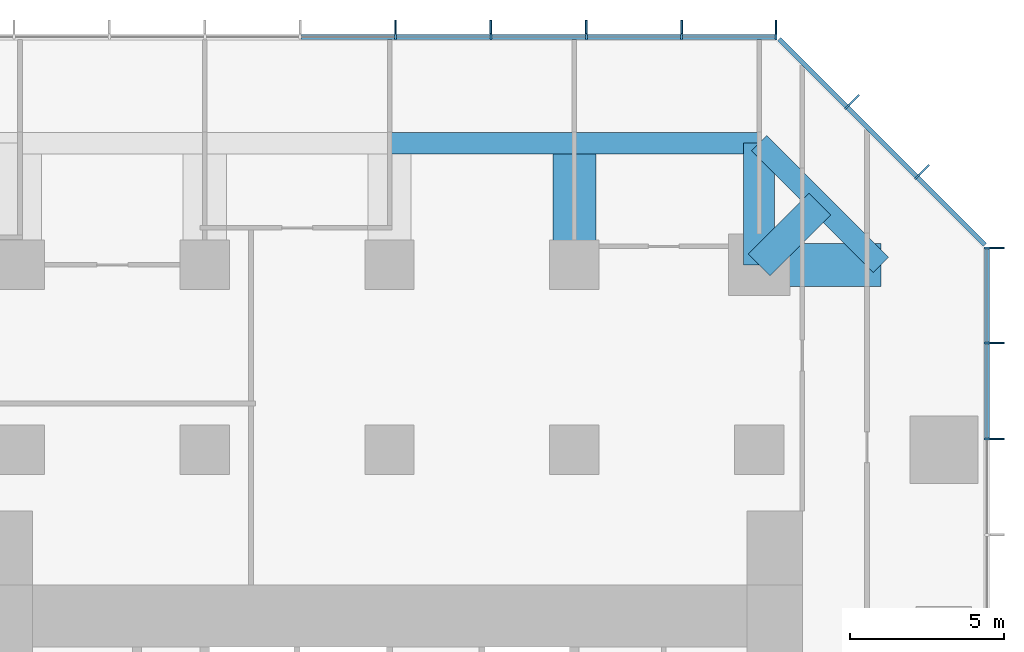
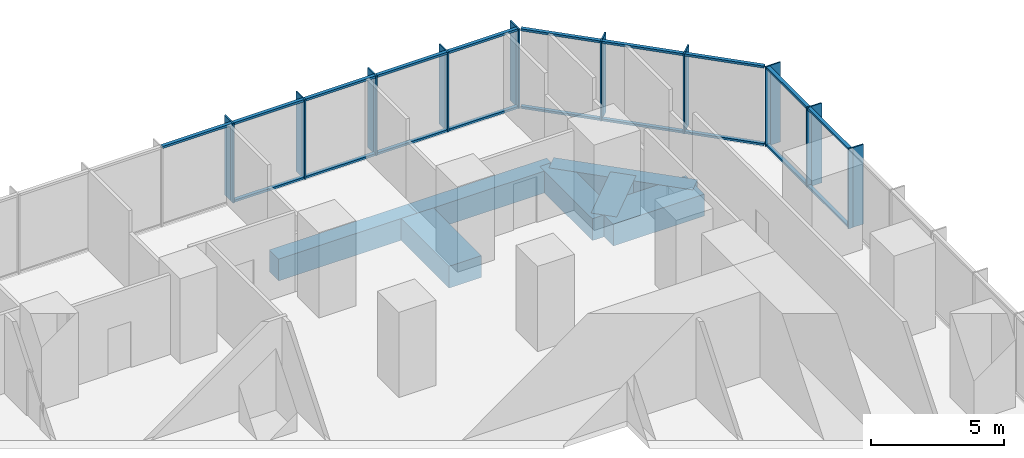
# One storey, part 6 of 11: 39 members, 7 beams, 3 elements without a shape of their own.
"""IFC4 building model written with IfcOpenShell, lengths in metres."""

from ifc_helpers import new_model, si_unit, direction, frame, origin, origin_2d, place, context, subcontext, project, spatial, rectangle, extrude, material, layer, layer_set, material_profile, profile_set, type_object, element, aggregate, save


model = new_model("IFC4")

# Units and contexts
model_context = context("Model", 3, precision=1e-05, world=origin(), true_north=direction((0.0, 1.0)))
body_context = subcontext(model_context, "Body", "Model", "MODEL_VIEW")
ifc_project = project(units=[si_unit("LENGTHUNIT", "METRE"), si_unit("AREAUNIT", "SQUARE_METRE"), si_unit("VOLUMEUNIT", "CUBIC_METRE"), si_unit("PLANEANGLEUNIT", "RADIAN"), si_unit("MASSUNIT", "GRAM", prefix="KILO")], contexts=[model_context])

# Site, building, storey
site_placement = place(None, origin())
site = spatial("IfcSite", under=ifc_project, at=site_placement, CompositionType="ELEMENT")
building_placement = place(site_placement, origin())
building = spatial("IfcBuilding", under=site, at=building_placement, Name="Highveld Stack Headquarters", CompositionType="ELEMENT")
storey_placement = place(building_placement, frame((0.0, 0.0, 113.300048828125)))
storey = spatial("IfcBuildingStorey", under=building, at=storey_placement, Name="L27", CompositionType="ELEMENT", Elevation=113.300048828125)

# Beams
ifc_material_1 = material(Name="Concrete C60/75", Category="concrete")
ifc_material_profile_1 = material_profile(ifc_material_1, rectangle(XDim=1.0, YDim=1.0, at=origin_2d()), Name="RC 1000x1000")
ifc_profile_set_1 = profile_set([ifc_material_profile_1], Name="Concrete C60/75")
beam_type_1 = type_object("IfcBeamType", Name="CANTILEVER RIB RC 1000x1000", PredefinedType="USERDEFINED", material=ifc_profile_set_1)
beam_1_placement = place(storey_placement, frame((18.0, 24.0, -0.75), z_axis=(0.0, 1.0, 0.0), x_axis=(-1.0, 0.0, 0.0)))
element("IfcBeam", 1, at=beam_1_placement, inside=storey, type_object=beam_type_1, Name="Cantilever rib 9/J L27", ObjectType="CANTILEVER RIB", PredefinedType="USERDEFINED", context=body_context, shape_type="SweptSolid", body=[
    extrude(rectangle(XDim=1.0, YDim=1.0, at=origin_2d()), origin(), (0.0, 0.0, 1.0), 3.949951171875),
])
beam_2_placement = place(storey_placement, frame((18.0, 24.0, -0.75), z_axis=(0.707106781187, 0.707106781187, 0.0), x_axis=(-0.707106781187, 0.707106781187, 0.0)))
element("IfcBeam", 2, at=beam_2_placement, inside=storey, type_object=beam_type_1, Name="Cantilever rib 9/J L27", ObjectType="CANTILEVER RIB", PredefinedType="USERDEFINED", context=body_context, shape_type="SweptSolid", body=[
    extrude(rectangle(XDim=1.0, YDim=1.0, at=origin_2d()), origin(), (0.0, 0.0, 1.0), 2.793212890625),
])
ifc_material_2 = material(Name="Concrete C60/75", Category="concrete")
ifc_material_profile_2 = material_profile(ifc_material_2, rectangle(XDim=1.39990234375, YDim=1.0, at=origin_2d()), Name="RC 1400x1000")
ifc_profile_set_2 = profile_set([ifc_material_profile_2], Name="Concrete C60/75")
beam_type_2 = type_object("IfcBeamType", Name="CANTILEVER RIB RC 1400x1000", PredefinedType="USERDEFINED", material=ifc_profile_set_2)
for number, where, z_axis, x_axis, name in (
    (3, (12.0, 24.0, -0.75), (0.0, 1.0, 0.0), (-1.0, 0.0, 0.0), "Cantilever rib 8/J L27"),
    (4, (18.0, 24.0, -0.75), (1.0, 0.0, 0.0), (0.0, 1.0, 0.0), "Cantilever rib 9/J L27"),
):
    element("IfcBeam", number, at=place(storey_placement, frame(where, z_axis=z_axis, x_axis=x_axis)), inside=storey, type_object=beam_type_2, Name=name, ObjectType="CANTILEVER RIB", PredefinedType="USERDEFINED", context=body_context, shape_type="SweptSolid", body=[
        extrude(rectangle(XDim=1.39990234375, YDim=1.0, at=origin_2d()), origin(), (0.0, 0.0, 1.0), 3.949951171875),
    ])

# Curtain wall, members
ifc_material_3 = material(Name="Aluminium bronze anodised", Category="aluminium")
ifc_layer_1 = layer(ifc_material_3, 0.199951171875)
ifc_layer_set_1 = layer_set([ifc_layer_1], Name="Aluminium bronze anodised")
curtain_wall_type_1 = type_object("IfcCurtainWallType", Name="CW1 TOWER UNITISED CURTAIN WALL", PredefinedType="NOTDEFINED", material=ifc_layer_set_1)
curtain_wall_1_placement = place(storey_placement, origin())
curtain_wall_1 = element("IfcCurtainWall", 5, at=curtain_wall_1_placement, inside=storey, type_object=curtain_wall_type_1, Name="Curtain wall CW1 L27 E", PredefinedType="NOTDEFINED")
ifc_material_4 = material(Name="Aluminium bronze anodised", Category="aluminium")
ifc_material_profile_3 = material_profile(ifc_material_4, rectangle(XDim=0.449951171875, YDim=0.06005859375, at=origin_2d()), Name="FIN 450x60")
ifc_profile_set_3 = profile_set([ifc_material_profile_3], Name="Aluminium bronze anodised")
member_type_1 = type_object("IfcMemberType", Name="CW1 BRONZE FIN 450x60", PredefinedType="USERDEFINED", material=ifc_profile_set_3)
member_1_placement = place(storey_placement, frame((25.72509765625, 18.347900390625, 0.0), z_axis=(0.0, 0.0, 1.0), x_axis=(-1.0, 0.0, 0.0)))
member_1 = element("IfcMember", 6, at=member_1_placement, type_object=member_type_1, Name="CW1 fin L27 9", ObjectType="FIN", PredefinedType="USERDEFINED", context=body_context, shape_type="SweptSolid", body=[
    extrude(rectangle(XDim=0.449951171875, YDim=0.06005859375, at=origin_2d()), origin(), (0.0, 0.0, 1.0), 3.64990234375),
])
member_2_placement = place(storey_placement, frame((25.72509765625, 21.4638671875, 0.0), z_axis=(0.0, 0.0, 1.0), x_axis=(-1.0, 0.0, 0.0)))
member_2 = element("IfcMember", 7, at=member_2_placement, type_object=member_type_1, Name="CW1 fin L27 10", ObjectType="FIN", PredefinedType="USERDEFINED", context=body_context, shape_type="SweptSolid", body=[
    extrude(rectangle(XDim=0.449951171875, YDim=0.06005859375, at=origin_2d()), origin(), (0.0, 0.0, 1.0), 3.64990234375),
])
member_3_placement = place(storey_placement, frame((25.72509765625, 24.54736328125, 0.0), z_axis=(0.0, 0.0, 1.0), x_axis=(-1.0, 0.0, 0.0)))
member_3 = element("IfcMember", 8, at=member_3_placement, type_object=member_type_1, Name="CW1 fin L27 11", ObjectType="FIN", PredefinedType="USERDEFINED", context=body_context, shape_type="SweptSolid", body=[
    extrude(rectangle(XDim=0.449951171875, YDim=0.06005859375, at=origin_2d()), origin(), (0.0, 0.0, 1.0), 3.64990234375),
])

curtain_wall_2_placement = place(storey_placement, origin())
curtain_wall_2 = element("IfcCurtainWall", 9, at=curtain_wall_2_placement, inside=storey, type_object=curtain_wall_type_1, Name="Curtain wall CW1 L27 N", PredefinedType="NOTDEFINED")
member_4_placement = place(storey_placement, frame((18.54736328125, 31.72509765625, 0.0), z_axis=(0.0, 0.0, 1.0), x_axis=(0.0, -1.0, 0.0)))
member_4 = element("IfcMember", 10, at=member_4_placement, type_object=member_type_1, Name="CW1 fin L27 1", ObjectType="FIN", PredefinedType="USERDEFINED", context=body_context, shape_type="SweptSolid", body=[
    extrude(rectangle(XDim=0.449951171875, YDim=0.06005859375, at=origin_2d()), origin(), (0.0, 0.0, 1.0), 3.64990234375),
])
member_5_placement = place(storey_placement, frame((15.483154296875, 31.72509765625, 0.0), z_axis=(0.0, 0.0, 1.0), x_axis=(0.0, -1.0, 0.0)))
member_5 = element("IfcMember", 11, at=member_5_placement, type_object=member_type_1, Name="CW1 fin L27 2", ObjectType="FIN", PredefinedType="USERDEFINED", context=body_context, shape_type="SweptSolid", body=[
    extrude(rectangle(XDim=0.449951171875, YDim=0.06005859375, at=origin_2d()), origin(), (0.0, 0.0, 1.0), 3.64990234375),
])
member_6_placement = place(storey_placement, frame((12.38671875, 31.72509765625, 0.0), z_axis=(0.0, 0.0, 1.0), x_axis=(0.0, -1.0, 0.0)))
member_6 = element("IfcMember", 12, at=member_6_placement, type_object=member_type_1, Name="CW1 fin L27 3", ObjectType="FIN", PredefinedType="USERDEFINED", context=body_context, shape_type="SweptSolid", body=[
    extrude(rectangle(XDim=0.449951171875, YDim=0.06005859375, at=origin_2d()), origin(), (0.0, 0.0, 1.0), 3.64990234375),
])
member_7_placement = place(storey_placement, frame((9.289794921875, 31.72509765625, 0.0), z_axis=(0.0, 0.0, 1.0), x_axis=(0.0, -1.0, 0.0)))
member_7 = element("IfcMember", 13, at=member_7_placement, type_object=member_type_1, Name="CW1 fin L27 4", ObjectType="FIN", PredefinedType="USERDEFINED", context=body_context, shape_type="SweptSolid", body=[
    extrude(rectangle(XDim=0.449951171875, YDim=0.06005859375, at=origin_2d()), origin(), (0.0, 0.0, 1.0), 3.64990234375),
])
member_8_placement = place(storey_placement, frame((6.193359375, 31.72509765625, 0.0), z_axis=(0.0, 0.0, 1.0), x_axis=(0.0, -1.0, 0.0)))
member_8 = element("IfcMember", 14, at=member_8_placement, type_object=member_type_1, Name="CW1 fin L27 5", ObjectType="FIN", PredefinedType="USERDEFINED", context=body_context, shape_type="SweptSolid", body=[
    extrude(rectangle(XDim=0.449951171875, YDim=0.06005859375, at=origin_2d()), origin(), (0.0, 0.0, 1.0), 3.64990234375),
])

# Member
ifc_material_5 = material(Name="Aluminium bronze anodised", Category="aluminium")
ifc_material_profile_4 = material_profile(ifc_material_5, rectangle(XDim=0.199951171875, YDim=0.06494140625, at=origin_2d()), Name="CW1 MULLION 65x200")
ifc_profile_set_4 = profile_set([ifc_material_profile_4], Name="Aluminium bronze anodised")
member_type_2 = type_object("IfcMemberType", Name="CW1 MULLION 65x200", PredefinedType="MULLION", material=ifc_profile_set_4)
member_9_placement = place(storey_placement, frame((25.39990234375, 18.347900390625, 0.0), z_axis=(0.0, 0.0, 1.0), x_axis=(-1.0, 0.0, 0.0)))
member_9 = element("IfcMember", 15, at=member_9_placement, type_object=member_type_2, Name="CW1 mullion L27 9", PredefinedType="MULLION", context=body_context, shape_type="SweptSolid", body=[
    extrude(rectangle(XDim=0.199951171875, YDim=0.06494140625, at=origin_2d()), origin(), (0.0, 0.0, 1.0), 3.64990234375),
])

member_10_placement = place(storey_placement, frame((25.39990234375, 21.4638671875, 0.0), z_axis=(0.0, 0.0, 1.0), x_axis=(-1.0, 0.0, 0.0)))
member_10 = element("IfcMember", 16, at=member_10_placement, type_object=member_type_2, Name="CW1 mullion L27 10", PredefinedType="MULLION", context=body_context, shape_type="SweptSolid", body=[
    extrude(rectangle(XDim=0.199951171875, YDim=0.06494140625, at=origin_2d()), origin(), (0.0, 0.0, 1.0), 3.64990234375),
])

member_11_placement = place(storey_placement, frame((25.39990234375, 24.54736328125, 0.0), z_axis=(0.0, 0.0, 1.0), x_axis=(-1.0, 0.0, 0.0)))
member_11 = element("IfcMember", 17, at=member_11_placement, type_object=member_type_2, Name="CW1 mullion L27 11", PredefinedType="MULLION", context=body_context, shape_type="SweptSolid", body=[
    extrude(rectangle(XDim=0.199951171875, YDim=0.06494140625, at=origin_2d()), origin(), (0.0, 0.0, 1.0), 3.64990234375),
])

member_12_placement = place(storey_placement, frame((18.54736328125, 31.39990234375, 0.0), z_axis=(0.0, 0.0, 1.0), x_axis=(0.0, -1.0, 0.0)))
member_12 = element("IfcMember", 18, at=member_12_placement, type_object=member_type_2, Name="CW1 mullion L27 1", PredefinedType="MULLION", context=body_context, shape_type="SweptSolid", body=[
    extrude(rectangle(XDim=0.199951171875, YDim=0.06494140625, at=origin_2d()), origin(), (0.0, 0.0, 1.0), 3.64990234375),
])

member_13_placement = place(storey_placement, frame((15.483154296875, 31.39990234375, 0.0), z_axis=(0.0, 0.0, 1.0), x_axis=(0.0, -1.0, 0.0)))
member_13 = element("IfcMember", 19, at=member_13_placement, type_object=member_type_2, Name="CW1 mullion L27 2", PredefinedType="MULLION", context=body_context, shape_type="SweptSolid", body=[
    extrude(rectangle(XDim=0.199951171875, YDim=0.06494140625, at=origin_2d()), origin(), (0.0, 0.0, 1.0), 3.64990234375),
])

member_14_placement = place(storey_placement, frame((12.38671875, 31.39990234375, 0.0), z_axis=(0.0, 0.0, 1.0), x_axis=(0.0, -1.0, 0.0)))
member_14 = element("IfcMember", 20, at=member_14_placement, type_object=member_type_2, Name="CW1 mullion L27 3", PredefinedType="MULLION", context=body_context, shape_type="SweptSolid", body=[
    extrude(rectangle(XDim=0.199951171875, YDim=0.06494140625, at=origin_2d()), origin(), (0.0, 0.0, 1.0), 3.64990234375),
])

member_15_placement = place(storey_placement, frame((9.289794921875, 31.39990234375, 0.0), z_axis=(0.0, 0.0, 1.0), x_axis=(0.0, -1.0, 0.0)))
member_15 = element("IfcMember", 21, at=member_15_placement, type_object=member_type_2, Name="CW1 mullion L27 4", PredefinedType="MULLION", context=body_context, shape_type="SweptSolid", body=[
    extrude(rectangle(XDim=0.199951171875, YDim=0.06494140625, at=origin_2d()), origin(), (0.0, 0.0, 1.0), 3.64990234375),
])

member_16_placement = place(storey_placement, frame((6.193359375, 31.39990234375, 0.0), z_axis=(0.0, 0.0, 1.0), x_axis=(0.0, -1.0, 0.0)))
member_16 = element("IfcMember", 22, at=member_16_placement, type_object=member_type_2, Name="CW1 mullion L27 5", PredefinedType="MULLION", context=body_context, shape_type="SweptSolid", body=[
    extrude(rectangle(XDim=0.199951171875, YDim=0.06494140625, at=origin_2d()), origin(), (0.0, 0.0, 1.0), 3.64990234375),
])

ifc_material_6 = material(Name="Aluminium bronze anodised", Category="aluminium")
ifc_material_profile_5 = material_profile(ifc_material_6, rectangle(XDim=0.14990234375, YDim=0.10009765625, at=origin_2d()), Name="CW1 TRANSOM 150x100")
ifc_profile_set_5 = profile_set([ifc_material_profile_5], Name="Aluminium bronze anodised")
member_type_3 = type_object("IfcMemberType", Name="CW1 STACK TRANSOM 150x100", PredefinedType="USERDEFINED", material=ifc_profile_set_5)
member_17_placement = place(storey_placement, frame((25.39990234375, 18.38037109375, 0.050048828125), z_axis=(0.0, 1.0, 0.0), x_axis=(-1.0, 0.0, 0.0)))
member_17 = element("IfcMember", 23, at=member_17_placement, type_object=member_type_3, Name="CW1 transom L27 9.1", ObjectType="TRANSOM", PredefinedType="USERDEFINED", context=body_context, shape_type="SweptSolid", body=[
    extrude(rectangle(XDim=0.14990234375, YDim=0.10009765625, at=origin_2d()), origin(), (0.0, 0.0, 1.0), 3.051025390625),
])

member_18_placement = place(storey_placement, frame((25.39990234375, 18.38037109375, 3.599853515625), z_axis=(0.0, 1.0, 0.0), x_axis=(-1.0, 0.0, 0.0)))
member_18 = element("IfcMember", 24, at=member_18_placement, type_object=member_type_3, Name="CW1 transom L27 9.2", ObjectType="TRANSOM", PredefinedType="USERDEFINED", context=body_context, shape_type="SweptSolid", body=[
    extrude(rectangle(XDim=0.14990234375, YDim=0.10009765625, at=origin_2d()), origin(), (0.0, 0.0, 1.0), 3.051025390625),
])

member_19_placement = place(storey_placement, frame((25.39990234375, 21.496337890625, 0.050048828125), z_axis=(0.0, 1.0, 0.0), x_axis=(-1.0, 0.0, 0.0)))
member_19 = element("IfcMember", 25, at=member_19_placement, type_object=member_type_3, Name="CW1 transom L27 10.1", ObjectType="TRANSOM", PredefinedType="USERDEFINED", context=body_context, shape_type="SweptSolid", body=[
    extrude(rectangle(XDim=0.14990234375, YDim=0.10009765625, at=origin_2d()), origin(), (0.0, 0.0, 1.0), 3.0185546875),
])

member_20_placement = place(storey_placement, frame((25.39990234375, 21.496337890625, 3.599853515625), z_axis=(0.0, 1.0, 0.0), x_axis=(-1.0, 0.0, 0.0)))
member_20 = element("IfcMember", 26, at=member_20_placement, type_object=member_type_3, Name="CW1 transom L27 10.2", ObjectType="TRANSOM", PredefinedType="USERDEFINED", context=body_context, shape_type="SweptSolid", body=[
    extrude(rectangle(XDim=0.14990234375, YDim=0.10009765625, at=origin_2d()), origin(), (0.0, 0.0, 1.0), 3.0185546875),
])

aggregate(curtain_wall_1, [member_9, member_1, member_10, member_2, member_11, member_3, member_17, member_18, member_19, member_20])

member_21_placement = place(storey_placement, frame((18.514892578125, 31.39990234375, 0.050048828125), z_axis=(-1.0, 0.0, 0.0), x_axis=(0.0, -1.0, 0.0)))
member_21 = element("IfcMember", 27, at=member_21_placement, type_object=member_type_3, Name="CW1 transom L27 1.1", ObjectType="TRANSOM", PredefinedType="USERDEFINED", context=body_context, shape_type="SweptSolid", body=[
    extrude(rectangle(XDim=0.14990234375, YDim=0.10009765625, at=origin_2d()), origin(), (0.0, 0.0, 1.0), 2.999267578125),
])

member_22_placement = place(storey_placement, frame((18.514892578125, 31.39990234375, 3.599853515625), z_axis=(-1.0, 0.0, 0.0), x_axis=(0.0, -1.0, 0.0)))
member_22 = element("IfcMember", 28, at=member_22_placement, type_object=member_type_3, Name="CW1 transom L27 1.2", ObjectType="TRANSOM", PredefinedType="USERDEFINED", context=body_context, shape_type="SweptSolid", body=[
    extrude(rectangle(XDim=0.14990234375, YDim=0.10009765625, at=origin_2d()), origin(), (0.0, 0.0, 1.0), 2.999267578125),
])

member_23_placement = place(storey_placement, frame((15.45068359375, 31.39990234375, 0.050048828125), z_axis=(-1.0, 0.0, 0.0), x_axis=(0.0, -1.0, 0.0)))
member_23 = element("IfcMember", 29, at=member_23_placement, type_object=member_type_3, Name="CW1 transom L27 2.1", ObjectType="TRANSOM", PredefinedType="USERDEFINED", context=body_context, shape_type="SweptSolid", body=[
    extrude(rectangle(XDim=0.14990234375, YDim=0.10009765625, at=origin_2d()), origin(), (0.0, 0.0, 1.0), 3.031494140625),
])

member_24_placement = place(storey_placement, frame((15.45068359375, 31.39990234375, 3.599853515625), z_axis=(-1.0, 0.0, 0.0), x_axis=(0.0, -1.0, 0.0)))
member_24 = element("IfcMember", 30, at=member_24_placement, type_object=member_type_3, Name="CW1 transom L27 2.2", ObjectType="TRANSOM", PredefinedType="USERDEFINED", context=body_context, shape_type="SweptSolid", body=[
    extrude(rectangle(XDim=0.14990234375, YDim=0.10009765625, at=origin_2d()), origin(), (0.0, 0.0, 1.0), 3.031494140625),
])

member_25_placement = place(storey_placement, frame((12.35400390625, 31.39990234375, 0.050048828125), z_axis=(-1.0, 0.0, 0.0), x_axis=(0.0, -1.0, 0.0)))
member_25 = element("IfcMember", 31, at=member_25_placement, type_object=member_type_3, Name="CW1 transom L27 3.1", ObjectType="TRANSOM", PredefinedType="USERDEFINED", context=body_context, shape_type="SweptSolid", body=[
    extrude(rectangle(XDim=0.14990234375, YDim=0.10009765625, at=origin_2d()), origin(), (0.0, 0.0, 1.0), 3.031494140625),
])

member_26_placement = place(storey_placement, frame((12.35400390625, 31.39990234375, 3.599853515625), z_axis=(-1.0, 0.0, 0.0), x_axis=(0.0, -1.0, 0.0)))
member_26 = element("IfcMember", 32, at=member_26_placement, type_object=member_type_3, Name="CW1 transom L27 3.2", ObjectType="TRANSOM", PredefinedType="USERDEFINED", context=body_context, shape_type="SweptSolid", body=[
    extrude(rectangle(XDim=0.14990234375, YDim=0.10009765625, at=origin_2d()), origin(), (0.0, 0.0, 1.0), 3.031494140625),
])

member_27_placement = place(storey_placement, frame((9.25732421875, 31.39990234375, 0.050048828125), z_axis=(-1.0, 0.0, 0.0), x_axis=(0.0, -1.0, 0.0)))
member_27 = element("IfcMember", 33, at=member_27_placement, type_object=member_type_3, Name="CW1 transom L27 4.1", ObjectType="TRANSOM", PredefinedType="USERDEFINED", context=body_context, shape_type="SweptSolid", body=[
    extrude(rectangle(XDim=0.14990234375, YDim=0.10009765625, at=origin_2d()), origin(), (0.0, 0.0, 1.0), 3.031494140625),
])

member_28_placement = place(storey_placement, frame((9.25732421875, 31.39990234375, 3.599853515625), z_axis=(-1.0, 0.0, 0.0), x_axis=(0.0, -1.0, 0.0)))
member_28 = element("IfcMember", 34, at=member_28_placement, type_object=member_type_3, Name="CW1 transom L27 4.2", ObjectType="TRANSOM", PredefinedType="USERDEFINED", context=body_context, shape_type="SweptSolid", body=[
    extrude(rectangle(XDim=0.14990234375, YDim=0.10009765625, at=origin_2d()), origin(), (0.0, 0.0, 1.0), 3.031494140625),
])

member_29_placement = place(storey_placement, frame((6.160888671875, 31.39990234375, 3.599853515625), z_axis=(-1.0, 0.0, 0.0), x_axis=(0.0, -1.0, 0.0)))
member_29 = element("IfcMember", 35, at=member_29_placement, type_object=member_type_3, Name="CW1 transom L27 5.2", ObjectType="TRANSOM", PredefinedType="USERDEFINED", context=body_context, shape_type="SweptSolid", body=[
    extrude(rectangle(XDim=0.14990234375, YDim=0.10009765625, at=origin_2d()), origin(), (0.0, 0.0, 1.0), 3.03173828125),
])

aggregate(curtain_wall_2, [member_12, member_4, member_13, member_5, member_14, member_6, member_15, member_7, member_16, member_8, member_21, member_22, member_23, member_24, member_25, member_26, member_27, member_28, member_29])

# Curtain wall, members
ifc_material_7 = material(Name="Aluminium bronze anodised", Category="aluminium")
ifc_layer_2 = layer(ifc_material_7, 0.199951171875)
ifc_layer_set_2 = layer_set([ifc_layer_2], Name="Aluminium bronze anodised")
curtain_wall_type_2 = type_object("IfcCurtainWallType", Name="CW2 TOWER CHAMFER UNITISED CURTAIN WALL", PredefinedType="NOTDEFINED", material=ifc_layer_set_2)
curtain_wall_3_placement = place(storey_placement, origin())
curtain_wall_3 = element("IfcCurtainWall", 36, at=curtain_wall_3_placement, inside=storey, type_object=curtain_wall_type_2, Name="Curtain wall CW2 L27 NE", PredefinedType="NOTDEFINED")
ifc_material_8 = material(Name="Aluminium bronze anodised", Category="aluminium")
ifc_material_profile_6 = material_profile(ifc_material_8, rectangle(XDim=0.449951171875, YDim=0.06005859375, at=origin_2d()), Name="FIN 450x60")
ifc_profile_set_6 = profile_set([ifc_material_profile_6], Name="Aluminium bronze anodised")
member_type_4 = type_object("IfcMemberType", Name="CW2 BRONZE FIN 450x60", PredefinedType="USERDEFINED", material=ifc_profile_set_6)
member_30_placement = place(storey_placement, frame((23.3564453125, 27.0830078125, 0.0), z_axis=(0.0, 0.0, 1.0), x_axis=(-0.707106781187, -0.707106781187, 0.0)))
member_30 = element("IfcMember", 37, at=member_30_placement, type_object=member_type_4, Name="CW2 fin L27 1", ObjectType="FIN", PredefinedType="USERDEFINED", context=body_context, shape_type="SweptSolid", body=[
    extrude(rectangle(XDim=0.449951171875, YDim=0.06005859375, at=origin_2d()), origin(), (0.0, 0.0, 1.0), 3.64990234375),
])
member_31_placement = place(storey_placement, frame((21.0830078125, 29.3564453125, 0.0), z_axis=(0.0, 0.0, 1.0), x_axis=(-0.707106781187, -0.707106781187, 0.0)))
member_31 = element("IfcMember", 38, at=member_31_placement, type_object=member_type_4, Name="CW2 fin L27 2", ObjectType="FIN", PredefinedType="USERDEFINED", context=body_context, shape_type="SweptSolid", body=[
    extrude(rectangle(XDim=0.449951171875, YDim=0.06005859375, at=origin_2d()), origin(), (0.0, 0.0, 1.0), 3.64990234375),
])
ifc_material_9 = material(Name="Aluminium bronze anodised", Category="aluminium")
ifc_material_profile_7 = material_profile(ifc_material_9, rectangle(XDim=0.199951171875, YDim=0.06494140625, at=origin_2d()), Name="CW2 MULLION 65x200")
ifc_profile_set_7 = profile_set([ifc_material_profile_7], Name="Aluminium bronze anodised")
member_type_5 = type_object("IfcMemberType", Name="CW2 MULLION 65x200", PredefinedType="MULLION", material=ifc_profile_set_7)
member_32_placement = place(storey_placement, frame((23.126708984375, 26.853271484375, 0.0), z_axis=(0.0, 0.0, 1.0), x_axis=(-0.707106781187, -0.707106781187, 0.0)))
member_32 = element("IfcMember", 39, at=member_32_placement, type_object=member_type_5, Name="CW2 mullion L27 1", PredefinedType="MULLION", context=body_context, shape_type="SweptSolid", body=[
    extrude(rectangle(XDim=0.199951171875, YDim=0.06494140625, at=origin_2d()), origin(), (0.0, 0.0, 1.0), 3.64990234375),
])
member_33_placement = place(storey_placement, frame((20.853271484375, 29.126708984375, 0.0), z_axis=(0.0, 0.0, 1.0), x_axis=(-0.707106781187, -0.707106781187, 0.0)))
member_33 = element("IfcMember", 40, at=member_33_placement, type_object=member_type_5, Name="CW2 mullion L27 2", PredefinedType="MULLION", context=body_context, shape_type="SweptSolid", body=[
    extrude(rectangle(XDim=0.199951171875, YDim=0.06494140625, at=origin_2d()), origin(), (0.0, 0.0, 1.0), 3.64990234375),
])
ifc_material_10 = material(Name="Aluminium bronze anodised", Category="aluminium")
ifc_material_profile_8 = material_profile(ifc_material_10, rectangle(XDim=0.14990234375, YDim=0.10009765625, at=origin_2d()), Name="CW2 TRANSOM 150x100")
ifc_profile_set_8 = profile_set([ifc_material_profile_8], Name="Aluminium bronze anodised")
member_type_6 = type_object("IfcMemberType", Name="CW2 STACK TRANSOM 150x100", PredefinedType="USERDEFINED", material=ifc_profile_set_8)
member_34_placement = place(storey_placement, frame((25.329345703125, 24.650634765625, 0.050048828125), z_axis=(-0.707106781187, 0.707106781187, 0.0), x_axis=(-0.707106781187, -0.707106781187, 0.0)))
member_34 = element("IfcMember", 41, at=member_34_placement, type_object=member_type_6, Name="CW2 transom L27 1.1", ObjectType="TRANSOM", PredefinedType="USERDEFINED", context=body_context, shape_type="SweptSolid", body=[
    extrude(rectangle(XDim=0.14990234375, YDim=0.10009765625, at=origin_2d()), origin(), (0.0, 0.0, 1.0), 3.08251953125),
])
member_35_placement = place(storey_placement, frame((25.329345703125, 24.650634765625, 3.599853515625), z_axis=(-0.707106781187, 0.707106781187, 0.0), x_axis=(-0.707106781187, -0.707106781187, 0.0)))
member_35 = element("IfcMember", 42, at=member_35_placement, type_object=member_type_6, Name="CW2 transom L27 1.2", ObjectType="TRANSOM", PredefinedType="USERDEFINED", context=body_context, shape_type="SweptSolid", body=[
    extrude(rectangle(XDim=0.14990234375, YDim=0.10009765625, at=origin_2d()), origin(), (0.0, 0.0, 1.0), 3.08251953125),
])
member_36_placement = place(storey_placement, frame((23.103759765625, 26.876220703125, 0.050048828125), z_axis=(-0.707106781187, 0.707106781187, 0.0), x_axis=(-0.707106781187, -0.707106781187, 0.0)))
member_36 = element("IfcMember", 43, at=member_36_placement, type_object=member_type_6, Name="CW2 transom L27 2.1", ObjectType="TRANSOM", PredefinedType="USERDEFINED", context=body_context, shape_type="SweptSolid", body=[
    extrude(rectangle(XDim=0.14990234375, YDim=0.10009765625, at=origin_2d()), origin(), (0.0, 0.0, 1.0), 3.150146484375),
])
member_37_placement = place(storey_placement, frame((23.103759765625, 26.876220703125, 3.599853515625), z_axis=(-0.707106781187, 0.707106781187, 0.0), x_axis=(-0.707106781187, -0.707106781187, 0.0)))
member_37 = element("IfcMember", 44, at=member_37_placement, type_object=member_type_6, Name="CW2 transom L27 2.2", ObjectType="TRANSOM", PredefinedType="USERDEFINED", context=body_context, shape_type="SweptSolid", body=[
    extrude(rectangle(XDim=0.14990234375, YDim=0.10009765625, at=origin_2d()), origin(), (0.0, 0.0, 1.0), 3.150146484375),
])
member_38_placement = place(storey_placement, frame((20.830322265625, 29.149658203125, 0.050048828125), z_axis=(-0.707106781187, 0.707106781187, 0.0), x_axis=(-0.707106781187, -0.707106781187, 0.0)))
member_38 = element("IfcMember", 45, at=member_38_placement, type_object=member_type_6, Name="CW2 transom L27 3.1", ObjectType="TRANSOM", PredefinedType="USERDEFINED", context=body_context, shape_type="SweptSolid", body=[
    extrude(rectangle(XDim=0.14990234375, YDim=0.10009765625, at=origin_2d()), origin(), (0.0, 0.0, 1.0), 3.08251953125),
])
member_39_placement = place(storey_placement, frame((20.830322265625, 29.149658203125, 3.599853515625), z_axis=(-0.707106781187, 0.707106781187, 0.0), x_axis=(-0.707106781187, -0.707106781187, 0.0)))
member_39 = element("IfcMember", 46, at=member_39_placement, type_object=member_type_6, Name="CW2 transom L27 3.2", ObjectType="TRANSOM", PredefinedType="USERDEFINED", context=body_context, shape_type="SweptSolid", body=[
    extrude(rectangle(XDim=0.14990234375, YDim=0.10009765625, at=origin_2d()), origin(), (0.0, 0.0, 1.0), 3.08251953125),
])
aggregate(curtain_wall_3, [member_32, member_30, member_33, member_31, member_34, member_35, member_36, member_37, member_38, member_39])

# Beams
ifc_material_11 = material(Name="Concrete C60/75", Category="concrete")
ifc_material_profile_9 = material_profile(ifc_material_11, rectangle(XDim=0.699951171875, YDim=1.0, at=origin_2d()), Name="RC 700x1000")
ifc_profile_set_9 = profile_set([ifc_material_profile_9], Name="Concrete C60/75")
beam_type_3 = type_object("IfcBeamType", Name="RIB TIP BEAM RC 700x1000", PredefinedType="SPANDREL", material=ifc_profile_set_9)
for number, where, z_axis, x_axis, name in (
    (47, (6.0, 27.949951171875, -0.75), (1.0, 0.0, 0.0), (0.0, 1.0, 0.0), "Rib tip beam 7/J to 8/J L27"),
    (48, (12.0, 27.949951171875, -0.75), (1.0, 0.0, 0.0), (0.0, 1.0, 0.0), "Rib tip beam 8/J to 9/J L27"),
):
    element("IfcBeam", number, at=place(storey_placement, frame(where, z_axis=z_axis, x_axis=x_axis)), inside=storey, type_object=beam_type_3, Name=name, PredefinedType="SPANDREL", context=body_context, shape_type="SweptSolid", body=[
        extrude(rectangle(XDim=0.699951171875, YDim=1.0, at=origin_2d()), origin(), (0.0, 0.0, 1.0), 6.0),
    ])
beam_3_placement = place(storey_placement, frame((21.949951171875, 24.0, -0.75), z_axis=(-0.707106781187, 0.707106781187, 0.0), x_axis=(-0.707106781187, -0.707106781187, 0.0)))
element("IfcBeam", 49, at=beam_3_placement, inside=storey, type_object=beam_type_3, Name="Rib tip beam 9/J corner L27", PredefinedType="SPANDREL", context=body_context, shape_type="SweptSolid", body=[
    extrude(rectangle(XDim=0.699951171875, YDim=1.0, at=origin_2d()), origin(), (0.0, 0.0, 1.0), 5.586181640625),
])

save(model, "model.ifc")
